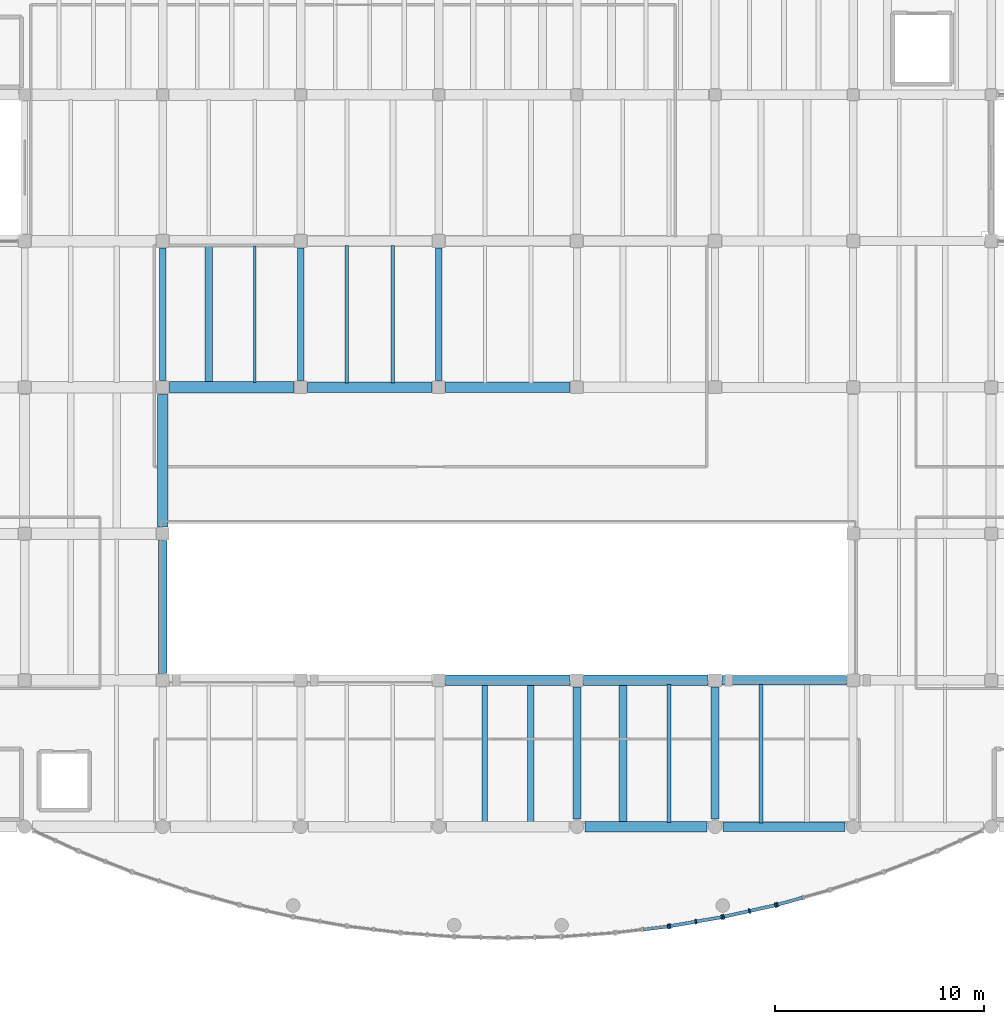
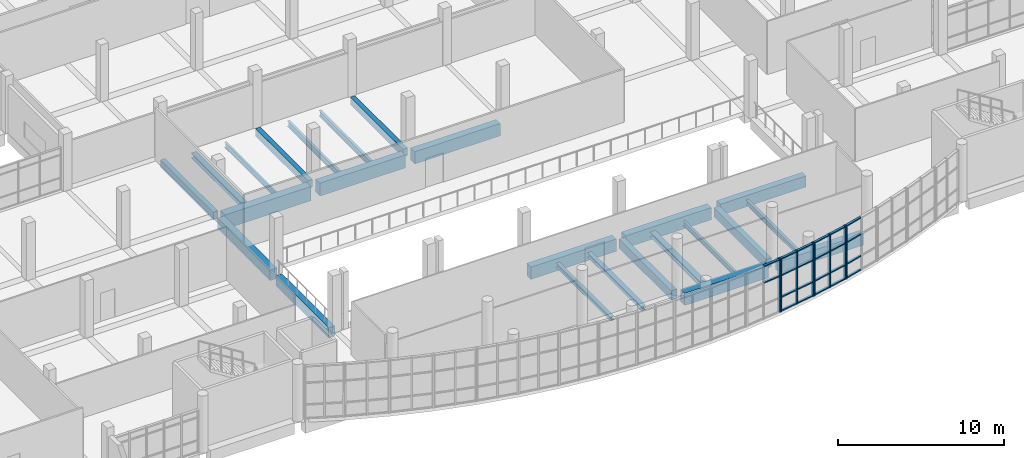
# One storey, part 12 of 67: 30 members, 24 beams, 4 elements without a shape of their own.
"""IFC4 building model written with IfcOpenShell, lengths in metres."""

from ifc_helpers import new_model, si_unit, direction, frame, origin, origin_2d, place, context, subcontext, project, spatial, rectangle, i_section, extrude, material, material_profile, profile_set, type_object, element, aggregate, save


model = new_model("IFC4")

# Units and contexts
model_context = context("Model", 3, precision=1e-05, world=origin(), true_north=direction((0.0, 1.0)))
body_context = subcontext(model_context, "Body", "Model", "MODEL_VIEW")
ifc_project = project(units=[si_unit("LENGTHUNIT", "METRE"), si_unit("AREAUNIT", "SQUARE_METRE"), si_unit("VOLUMEUNIT", "CUBIC_METRE"), si_unit("PLANEANGLEUNIT", "RADIAN"), si_unit("MASSUNIT", "GRAM", prefix="KILO")], contexts=[model_context])

# Site, building, storey
site_placement = place(None, origin())
site = spatial("IfcSite", under=ifc_project, at=site_placement, CompositionType="ELEMENT")
building_placement = place(site_placement, origin())
building = spatial("IfcBuilding", under=site, at=building_placement, Name="Ciguamira Faculty of Natural Sciences", CompositionType="ELEMENT")
storey_placement = place(building_placement, frame((0.0, 0.0, 8.39990234375)))
storey = spatial("IfcBuildingStorey", under=building, at=storey_placement, Name="L02", CompositionType="ELEMENT", Elevation=8.39990234375)

# Curtain wall, member
ifc_material_1 = material(Name="Anodized aluminium curtain wall", Category="aluminium")
curtain_wall_type_1 = type_object("IfcCurtainWallType", Name="CurtainWall_CW-05", PredefinedType="USERDEFINED", material=ifc_material_1)
curtain_wall_1_placement = place(storey_placement, origin())
curtain_wall_1 = element("IfcCurtainWall", 1, at=curtain_wall_1_placement, inside=storey, type_object=curtain_wall_type_1, Name="L02 south gallery curved curtain wall 12", ObjectType="UNITISED CURTAIN WALL", PredefinedType="USERDEFINED")
ifc_material_2 = material(Name="Anodized aluminium mullion", Category="aluminium")
ifc_material_profile_1 = material_profile(ifc_material_2, rectangle(XDim=0.080078125, YDim=0.219970703125, at=origin_2d()), Name="ALU-MUL-80X220")
ifc_profile_set_1 = profile_set([ifc_material_profile_1], Name="Anodized aluminium mullion")
member_type_1 = type_object("IfcMemberType", Name="CWMullion_CWM-03", PredefinedType="MULLION", material=ifc_profile_set_1)
member_1_placement = place(storey_placement, frame((94.660400390625, 5.23828125, 0.0), z_axis=(0.0, 0.0, 1.0), x_axis=(0.992585912631, 0.12154507825, 0.0)))
member_1 = element("IfcMember", 2, at=member_1_placement, type_object=member_type_1, Name="CW-05 mullion 3", PredefinedType="MULLION", context=body_context, shape_type="SweptSolid", body=[
    extrude(rectangle(XDim=0.080078125, YDim=0.219970703125, at=origin_2d()), origin(), (0.0, 0.0, 1.0), 3.900146484375),
])

# Curtain wall, members
curtain_wall_type_2 = type_object("IfcCurtainWallType", Name="CurtainWall_CW-06", PredefinedType="USERDEFINED", material=ifc_material_1)
curtain_wall_2_placement = place(storey_placement, origin())
curtain_wall_2 = element("IfcCurtainWall", 3, at=curtain_wall_2_placement, inside=storey, type_object=curtain_wall_type_2, Name="L02 south gallery curved curtain wall 13", ObjectType="UNITISED CURTAIN WALL", PredefinedType="USERDEFINED")
member_2_placement = place(storey_placement, frame((94.739501953125, 5.25, 0.0), z_axis=(0.0, 0.0, 1.0), x_axis=(0.985410865099, 0.170192323402, 0.0)))
member_2 = element("IfcMember", 4, at=member_2_placement, type_object=member_type_1, Name="CW-06 mullion 1", PredefinedType="MULLION", context=body_context, shape_type="SweptSolid", body=[
    extrude(rectangle(XDim=0.080078125, YDim=0.219970703125, at=origin_2d()), origin(), (0.0, 0.0, 1.0), 3.900146484375),
])
member_3_placement = place(storey_placement, frame((95.9833984375, 5.46484375, 0.0), z_axis=(0.0, 0.0, 1.0), x_axis=(0.985410865099, 0.170192323402, 0.0)))
member_3 = element("IfcMember", 5, at=member_3_placement, type_object=member_type_1, Name="CW-06 mullion 2", PredefinedType="MULLION", context=body_context, shape_type="SweptSolid", body=[
    extrude(rectangle(XDim=0.080078125, YDim=0.219970703125, at=origin_2d()), origin(), (0.0, 0.0, 1.0), 3.900146484375),
])
member_4_placement = place(storey_placement, frame((97.227294921875, 5.6796875, 0.0), z_axis=(0.0, 0.0, 1.0), x_axis=(0.985410865099, 0.170192323402, 0.0)))
member_4 = element("IfcMember", 6, at=member_4_placement, type_object=member_type_1, Name="CW-06 mullion 3", PredefinedType="MULLION", context=body_context, shape_type="SweptSolid", body=[
    extrude(rectangle(XDim=0.080078125, YDim=0.219970703125, at=origin_2d()), origin(), (0.0, 0.0, 1.0), 3.900146484375),
])

curtain_wall_type_3 = type_object("IfcCurtainWallType", Name="CurtainWall_CW-07", PredefinedType="USERDEFINED", material=ifc_material_1)
curtain_wall_3_placement = place(storey_placement, origin())
curtain_wall_3 = element("IfcCurtainWall", 7, at=curtain_wall_3_placement, inside=storey, type_object=curtain_wall_type_3, Name="L02 south gallery curved curtain wall 14", ObjectType="UNITISED CURTAIN WALL", PredefinedType="USERDEFINED")
member_5_placement = place(storey_placement, frame((97.3056640625, 5.6953125, 0.0), z_axis=(0.0, 0.0, 1.0), x_axis=(0.975762990759, 0.218830038763, 0.0)))
member_5 = element("IfcMember", 8, at=member_5_placement, type_object=member_type_1, Name="CW-07 mullion 1", PredefinedType="MULLION", context=body_context, shape_type="SweptSolid", body=[
    extrude(rectangle(XDim=0.080078125, YDim=0.219970703125, at=origin_2d()), origin(), (0.0, 0.0, 1.0), 3.900146484375),
])
member_6_placement = place(storey_placement, frame((98.550048828125, 5.974365234375, 0.0), z_axis=(0.0, 0.0, 1.0), x_axis=(0.975762990759, 0.218830038763, 0.0)))
member_6 = element("IfcMember", 9, at=member_6_placement, type_object=member_type_1, Name="CW-07 mullion 2", PredefinedType="MULLION", context=body_context, shape_type="SweptSolid", body=[
    extrude(rectangle(XDim=0.080078125, YDim=0.219970703125, at=origin_2d()), origin(), (0.0, 0.0, 1.0), 3.900146484375),
])
member_7_placement = place(storey_placement, frame((99.794189453125, 6.25341796875, 0.0), z_axis=(0.0, 0.0, 1.0), x_axis=(0.975762990759, 0.218830038763, 0.0)))
member_7 = element("IfcMember", 10, at=member_7_placement, type_object=member_type_1, Name="CW-07 mullion 3", PredefinedType="MULLION", context=body_context, shape_type="SweptSolid", body=[
    extrude(rectangle(XDim=0.080078125, YDim=0.219970703125, at=origin_2d()), origin(), (0.0, 0.0, 1.0), 3.900146484375),
])

# Curtain wall, member
curtain_wall_type_4 = type_object("IfcCurtainWallType", Name="CurtainWall_CW-08", PredefinedType="USERDEFINED", material=ifc_material_1)
curtain_wall_4_placement = place(storey_placement, origin())
curtain_wall_4 = element("IfcCurtainWall", 11, at=curtain_wall_4_placement, inside=storey, type_object=curtain_wall_type_4, Name="L02 south gallery curved curtain wall 15", ObjectType="UNITISED CURTAIN WALL", PredefinedType="USERDEFINED")
member_8_placement = place(storey_placement, frame((99.871826171875, 6.272705078125, 0.0), z_axis=(0.0, 0.0, 1.0), x_axis=(0.963573286652, 0.267444426472, 0.0)))
member_8 = element("IfcMember", 12, at=member_8_placement, type_object=member_type_1, Name="CW-08 mullion 1", PredefinedType="MULLION", context=body_context, shape_type="SweptSolid", body=[
    extrude(rectangle(XDim=0.080078125, YDim=0.219970703125, at=origin_2d()), origin(), (0.0, 0.0, 1.0), 3.900146484375),
])

# Member
ifc_material_3 = material(Name="Anodized aluminium transom", Category="aluminium")
ifc_material_profile_2 = material_profile(ifc_material_3, rectangle(XDim=0.080078125, YDim=0.159912109375, at=origin_2d()), Name="ALU-TRN-80X160")
ifc_profile_set_2 = profile_set([ifc_material_profile_2], Name="Anodized aluminium transom")
member_type_2 = type_object("IfcMemberType", Name="CWTransom_CWT-03", PredefinedType="USERDEFINED", material=ifc_profile_set_2)
member_9_placement = place(storey_placement, frame((93.456298828125, 5.0908203125, 2.650146484375), z_axis=(0.992585363796, 0.121549560171, 0.0), x_axis=(0.0, 0.0, 1.0)))
member_9 = element("IfcMember", 13, at=member_9_placement, type_object=member_type_2, Name="CW-05 transom 2.3", ObjectType="TRANSOM", PredefinedType="USERDEFINED", context=body_context, shape_type="SweptSolid", body=[
    extrude(rectangle(XDim=0.080078125, YDim=0.159912109375, at=origin_2d()), origin(), (0.0, 0.0, 1.0), 1.173095703125),
])

member_10_placement = place(storey_placement, frame((93.456298828125, 5.0908203125, 3.860107421875), z_axis=(0.992585363796, 0.121549560171, 0.0), x_axis=(0.0, 0.0, 1.0)))
member_10 = element("IfcMember", 14, at=member_10_placement, type_object=member_type_2, Name="CW-05 transom 2.4", ObjectType="TRANSOM", PredefinedType="USERDEFINED", context=body_context, shape_type="SweptSolid", body=[
    extrude(rectangle(XDim=0.080078125, YDim=0.159912109375, at=origin_2d()), origin(), (0.0, 0.0, 1.0), 1.173095703125),
])

aggregate(curtain_wall_1, [member_1, member_9, member_10])

member_11_placement = place(storey_placement, frame((94.77880859375, 5.2568359375, 0.0400390625), z_axis=(0.985417162859, 0.170155855448, 0.0), x_axis=(0.0, 0.0, 1.0)))
member_11 = element("IfcMember", 15, at=member_11_placement, type_object=member_type_2, Name="CW-06 transom 1.1", ObjectType="TRANSOM", PredefinedType="USERDEFINED", context=body_context, shape_type="SweptSolid", body=[
    extrude(rectangle(XDim=0.080078125, YDim=0.159912109375, at=origin_2d()), origin(), (0.0, 0.0, 1.0), 1.182373046875),
])

member_12_placement = place(storey_placement, frame((94.77880859375, 5.2568359375, 1.050048828125), z_axis=(0.985417162859, 0.170155855448, 0.0), x_axis=(0.0, 0.0, 1.0)))
member_12 = element("IfcMember", 16, at=member_12_placement, type_object=member_type_2, Name="CW-06 transom 1.2", ObjectType="TRANSOM", PredefinedType="USERDEFINED", context=body_context, shape_type="SweptSolid", body=[
    extrude(rectangle(XDim=0.080078125, YDim=0.159912109375, at=origin_2d()), origin(), (0.0, 0.0, 1.0), 1.182373046875),
])

member_13_placement = place(storey_placement, frame((94.77880859375, 5.2568359375, 2.650146484375), z_axis=(0.985417162859, 0.170155855448, 0.0), x_axis=(0.0, 0.0, 1.0)))
member_13 = element("IfcMember", 17, at=member_13_placement, type_object=member_type_2, Name="CW-06 transom 1.3", ObjectType="TRANSOM", PredefinedType="USERDEFINED", context=body_context, shape_type="SweptSolid", body=[
    extrude(rectangle(XDim=0.080078125, YDim=0.159912109375, at=origin_2d()), origin(), (0.0, 0.0, 1.0), 1.182373046875),
])

member_14_placement = place(storey_placement, frame((94.77880859375, 5.2568359375, 3.860107421875), z_axis=(0.985417162859, 0.170155855448, 0.0), x_axis=(0.0, 0.0, 1.0)))
member_14 = element("IfcMember", 18, at=member_14_placement, type_object=member_type_2, Name="CW-06 transom 1.4", ObjectType="TRANSOM", PredefinedType="USERDEFINED", context=body_context, shape_type="SweptSolid", body=[
    extrude(rectangle(XDim=0.080078125, YDim=0.159912109375, at=origin_2d()), origin(), (0.0, 0.0, 1.0), 1.182373046875),
])

member_15_placement = place(storey_placement, frame((96.022705078125, 5.4716796875, 0.0400390625), z_axis=(0.985423139827, 0.170121237632, 0.0), x_axis=(0.0, 0.0, 1.0)))
member_15 = element("IfcMember", 19, at=member_15_placement, type_object=member_type_2, Name="CW-06 transom 2.1", ObjectType="TRANSOM", PredefinedType="USERDEFINED", context=body_context, shape_type="SweptSolid", body=[
    extrude(rectangle(XDim=0.080078125, YDim=0.159912109375, at=origin_2d()), origin(), (0.0, 0.0, 1.0), 1.1826171875),
])

member_16_placement = place(storey_placement, frame((96.022705078125, 5.4716796875, 1.050048828125), z_axis=(0.985423139827, 0.170121237632, 0.0), x_axis=(0.0, 0.0, 1.0)))
member_16 = element("IfcMember", 20, at=member_16_placement, type_object=member_type_2, Name="CW-06 transom 2.2", ObjectType="TRANSOM", PredefinedType="USERDEFINED", context=body_context, shape_type="SweptSolid", body=[
    extrude(rectangle(XDim=0.080078125, YDim=0.159912109375, at=origin_2d()), origin(), (0.0, 0.0, 1.0), 1.1826171875),
])

member_17_placement = place(storey_placement, frame((96.022705078125, 5.4716796875, 2.650146484375), z_axis=(0.985423139827, 0.170121237632, 0.0), x_axis=(0.0, 0.0, 1.0)))
member_17 = element("IfcMember", 21, at=member_17_placement, type_object=member_type_2, Name="CW-06 transom 2.3", ObjectType="TRANSOM", PredefinedType="USERDEFINED", context=body_context, shape_type="SweptSolid", body=[
    extrude(rectangle(XDim=0.080078125, YDim=0.159912109375, at=origin_2d()), origin(), (0.0, 0.0, 1.0), 1.1826171875),
])

member_18_placement = place(storey_placement, frame((96.022705078125, 5.4716796875, 3.860107421875), z_axis=(0.985423139827, 0.170121237632, 0.0), x_axis=(0.0, 0.0, 1.0)))
member_18 = element("IfcMember", 22, at=member_18_placement, type_object=member_type_2, Name="CW-06 transom 2.4", ObjectType="TRANSOM", PredefinedType="USERDEFINED", context=body_context, shape_type="SweptSolid", body=[
    extrude(rectangle(XDim=0.080078125, YDim=0.159912109375, at=origin_2d()), origin(), (0.0, 0.0, 1.0), 1.1826171875),
])

aggregate(curtain_wall_2, [member_2, member_3, member_4, member_11, member_12, member_13, member_14, member_15, member_16, member_17, member_18])

member_19_placement = place(storey_placement, frame((97.3447265625, 5.7041015625, 0.0400390625), z_axis=(0.97577679791, 0.218768463588, 0.0), x_axis=(0.0, 0.0, 1.0)))
member_19 = element("IfcMember", 23, at=member_19_placement, type_object=member_type_2, Name="CW-07 transom 1.1", ObjectType="TRANSOM", PredefinedType="USERDEFINED", context=body_context, shape_type="SweptSolid", body=[
    extrude(rectangle(XDim=0.080078125, YDim=0.159912109375, at=origin_2d()), origin(), (0.0, 0.0, 1.0), 1.1953125),
])

member_20_placement = place(storey_placement, frame((97.3447265625, 5.7041015625, 1.050048828125), z_axis=(0.97577679791, 0.218768463588, 0.0), x_axis=(0.0, 0.0, 1.0)))
member_20 = element("IfcMember", 24, at=member_20_placement, type_object=member_type_2, Name="CW-07 transom 1.2", ObjectType="TRANSOM", PredefinedType="USERDEFINED", context=body_context, shape_type="SweptSolid", body=[
    extrude(rectangle(XDim=0.080078125, YDim=0.159912109375, at=origin_2d()), origin(), (0.0, 0.0, 1.0), 1.1953125),
])

member_21_placement = place(storey_placement, frame((97.3447265625, 5.7041015625, 2.650146484375), z_axis=(0.97577679791, 0.218768463588, 0.0), x_axis=(0.0, 0.0, 1.0)))
member_21 = element("IfcMember", 25, at=member_21_placement, type_object=member_type_2, Name="CW-07 transom 1.3", ObjectType="TRANSOM", PredefinedType="USERDEFINED", context=body_context, shape_type="SweptSolid", body=[
    extrude(rectangle(XDim=0.080078125, YDim=0.159912109375, at=origin_2d()), origin(), (0.0, 0.0, 1.0), 1.1953125),
])

member_22_placement = place(storey_placement, frame((97.3447265625, 5.7041015625, 3.860107421875), z_axis=(0.97577679791, 0.218768463588, 0.0), x_axis=(0.0, 0.0, 1.0)))
member_22 = element("IfcMember", 26, at=member_22_placement, type_object=member_type_2, Name="CW-07 transom 1.4", ObjectType="TRANSOM", PredefinedType="USERDEFINED", context=body_context, shape_type="SweptSolid", body=[
    extrude(rectangle(XDim=0.080078125, YDim=0.159912109375, at=origin_2d()), origin(), (0.0, 0.0, 1.0), 1.1953125),
])

member_23_placement = place(storey_placement, frame((98.589111328125, 5.983154296875, 0.0400390625), z_axis=(0.975767018908, 0.218812076476, 0.0), x_axis=(0.0, 0.0, 1.0)))
member_23 = element("IfcMember", 27, at=member_23_placement, type_object=member_type_2, Name="CW-07 transom 2.1", ObjectType="TRANSOM", PredefinedType="USERDEFINED", context=body_context, shape_type="SweptSolid", body=[
    extrude(rectangle(XDim=0.080078125, YDim=0.159912109375, at=origin_2d()), origin(), (0.0, 0.0, 1.0), 1.195068359375),
])

member_24_placement = place(storey_placement, frame((98.589111328125, 5.983154296875, 1.050048828125), z_axis=(0.975767018908, 0.218812076476, 0.0), x_axis=(0.0, 0.0, 1.0)))
member_24 = element("IfcMember", 28, at=member_24_placement, type_object=member_type_2, Name="CW-07 transom 2.2", ObjectType="TRANSOM", PredefinedType="USERDEFINED", context=body_context, shape_type="SweptSolid", body=[
    extrude(rectangle(XDim=0.080078125, YDim=0.159912109375, at=origin_2d()), origin(), (0.0, 0.0, 1.0), 1.195068359375),
])

member_25_placement = place(storey_placement, frame((98.589111328125, 5.983154296875, 2.650146484375), z_axis=(0.975767018908, 0.218812076476, 0.0), x_axis=(0.0, 0.0, 1.0)))
member_25 = element("IfcMember", 29, at=member_25_placement, type_object=member_type_2, Name="CW-07 transom 2.3", ObjectType="TRANSOM", PredefinedType="USERDEFINED", context=body_context, shape_type="SweptSolid", body=[
    extrude(rectangle(XDim=0.080078125, YDim=0.159912109375, at=origin_2d()), origin(), (0.0, 0.0, 1.0), 1.195068359375),
])

member_26_placement = place(storey_placement, frame((98.589111328125, 5.983154296875, 3.860107421875), z_axis=(0.975767018908, 0.218812076476, 0.0), x_axis=(0.0, 0.0, 1.0)))
member_26 = element("IfcMember", 30, at=member_26_placement, type_object=member_type_2, Name="CW-07 transom 2.4", ObjectType="TRANSOM", PredefinedType="USERDEFINED", context=body_context, shape_type="SweptSolid", body=[
    extrude(rectangle(XDim=0.080078125, YDim=0.159912109375, at=origin_2d()), origin(), (0.0, 0.0, 1.0), 1.195068359375),
])

aggregate(curtain_wall_3, [member_5, member_6, member_7, member_19, member_20, member_21, member_22, member_23, member_24, member_25, member_26])

member_27_placement = place(storey_placement, frame((99.910400390625, 6.283447265625, 0.0400390625), z_axis=(0.963549650457, 0.267529570522, 0.0), x_axis=(0.0, 0.0, 1.0)))
member_27 = element("IfcMember", 31, at=member_27_placement, type_object=member_type_2, Name="CW-08 transom 1.1", ObjectType="TRANSOM", PredefinedType="USERDEFINED", context=body_context, shape_type="SweptSolid", body=[
    extrude(rectangle(XDim=0.080078125, YDim=0.159912109375, at=origin_2d()), origin(), (0.0, 0.0, 1.0), 1.2119140625),
])

member_28_placement = place(storey_placement, frame((99.910400390625, 6.283447265625, 1.050048828125), z_axis=(0.963549650457, 0.267529570522, 0.0), x_axis=(0.0, 0.0, 1.0)))
member_28 = element("IfcMember", 32, at=member_28_placement, type_object=member_type_2, Name="CW-08 transom 1.2", ObjectType="TRANSOM", PredefinedType="USERDEFINED", context=body_context, shape_type="SweptSolid", body=[
    extrude(rectangle(XDim=0.080078125, YDim=0.159912109375, at=origin_2d()), origin(), (0.0, 0.0, 1.0), 1.2119140625),
])

member_29_placement = place(storey_placement, frame((99.910400390625, 6.283447265625, 2.650146484375), z_axis=(0.963549650457, 0.267529570522, 0.0), x_axis=(0.0, 0.0, 1.0)))
member_29 = element("IfcMember", 33, at=member_29_placement, type_object=member_type_2, Name="CW-08 transom 1.3", ObjectType="TRANSOM", PredefinedType="USERDEFINED", context=body_context, shape_type="SweptSolid", body=[
    extrude(rectangle(XDim=0.080078125, YDim=0.159912109375, at=origin_2d()), origin(), (0.0, 0.0, 1.0), 1.2119140625),
])

member_30_placement = place(storey_placement, frame((99.910400390625, 6.283447265625, 3.860107421875), z_axis=(0.963549650457, 0.267529570522, 0.0), x_axis=(0.0, 0.0, 1.0)))
member_30 = element("IfcMember", 34, at=member_30_placement, type_object=member_type_2, Name="CW-08 transom 1.4", ObjectType="TRANSOM", PredefinedType="USERDEFINED", context=body_context, shape_type="SweptSolid", body=[
    extrude(rectangle(XDim=0.080078125, YDim=0.159912109375, at=origin_2d()), origin(), (0.0, 0.0, 1.0), 1.2119140625),
])

aggregate(curtain_wall_4, [member_8, member_27, member_28, member_29, member_30])

# Beams
ifc_material_4 = material(Name="Concrete C40/50", Category="concrete")
ifc_material_profile_3 = material_profile(ifc_material_4, rectangle(XDim=0.550048828125, YDim=1.050048828125, at=origin_2d()), Name="RC-BM-550X1050")
ifc_profile_set_3 = profile_set([ifc_material_profile_3], Name="Concrete C40/50")
beam_type_1 = type_object("IfcBeamType", Name="RCBeam_BG-01_RC-BM-550X1050", PredefinedType="BEAM", material=ifc_profile_set_3)
beam_1_placement = place(storey_placement, frame((70.824951171875, 31.0, -0.52490234375), z_axis=(1.0, 0.0, 0.0), x_axis=(0.0, 1.0, 0.0)))
element("IfcBeam", 35, at=beam_1_placement, inside=storey, type_object=beam_type_1, Name="L02 RC girder EW-0764", PredefinedType="BEAM", context=body_context, shape_type="SweptSolid", body=[
    extrude(rectangle(XDim=0.550048828125, YDim=1.050048828125, at=origin_2d()), origin(), (0.0, 0.0, 1.0), 5.949951171875),
])
ifc_material_profile_4 = material_profile(ifc_material_4, rectangle(XDim=0.5, YDim=0.949951171875, at=origin_2d()), Name="RC-BM-500X950")
ifc_profile_set_4 = profile_set([ifc_material_profile_4], Name="Concrete C40/50")
beam_type_2 = type_object("IfcBeamType", Name="RCBeam_BG-02_RC-BM-500X950", PredefinedType="BEAM", material=ifc_profile_set_4)
beam_2_placement = place(storey_placement, frame((77.425048828125, 31.0, -0.474853515625), z_axis=(1.0, 0.0, 0.0), x_axis=(0.0, 1.0, 0.0)))
element("IfcBeam", 36, at=beam_2_placement, inside=storey, type_object=beam_type_2, Name="L02 RC girder EW-0765", PredefinedType="BEAM", context=body_context, shape_type="SweptSolid", body=[
    extrude(rectangle(XDim=0.5, YDim=0.949951171875, at=origin_2d()), origin(), (0.0, 0.0, 1.0), 5.949951171875),
])
ifc_material_profile_5 = material_profile(ifc_material_4, rectangle(XDim=0.5, YDim=0.89990234375, at=origin_2d()), Name="RC-BM-500X900")
ifc_profile_set_5 = profile_set([ifc_material_profile_5], Name="Concrete C40/50")
beam_type_3 = type_object("IfcBeamType", Name="RCBeam_BG-03_RC-BM-500X900", PredefinedType="BEAM", material=ifc_profile_set_5)
beam_3_placement = place(storey_placement, frame((90.675048828125, 10.0, -0.449951171875), z_axis=(1.0, 0.0, 0.0), x_axis=(0.0, 1.0, 0.0)))
element("IfcBeam", 37, at=beam_3_placement, inside=storey, type_object=beam_type_3, Name="L02 RC girder EW-0725", PredefinedType="BEAM", context=body_context, shape_type="SweptSolid", body=[
    extrude(rectangle(XDim=0.5, YDim=0.89990234375, at=origin_2d()), origin(), (0.0, 0.0, 1.0), 5.849853515625),
])
beam_4_placement = place(storey_placement, frame((84.02490234375, 17.0, -0.449951171875), z_axis=(1.0, 0.0, 0.0), x_axis=(0.0, 1.0, 0.0)))
element("IfcBeam", 38, at=beam_4_placement, inside=storey, type_object=beam_type_3, Name="L02 RC girder EW-0742", PredefinedType="BEAM", context=body_context, shape_type="SweptSolid", body=[
    extrude(rectangle(XDim=0.5, YDim=0.89990234375, at=origin_2d()), origin(), (0.0, 0.0, 1.0), 5.9501953125),
])
beam_5_placement = place(storey_placement, frame((90.625, 17.0, -0.449951171875), z_axis=(1.0, 0.0, 0.0), x_axis=(0.0, 1.0, 0.0)))
element("IfcBeam", 39, at=beam_5_placement, inside=storey, type_object=beam_type_3, Name="L02 RC girder EW-0743", PredefinedType="BEAM", context=body_context, shape_type="SweptSolid", body=[
    extrude(rectangle(XDim=0.5, YDim=0.89990234375, at=origin_2d()), origin(), (0.0, 0.0, 1.0), 5.949951171875),
])
beam_6_placement = place(storey_placement, frame((84.02490234375, 31.0, -0.449951171875), z_axis=(1.0, 0.0, 0.0), x_axis=(0.0, 1.0, 0.0)))
element("IfcBeam", 40, at=beam_6_placement, inside=storey, type_object=beam_type_3, Name="L02 RC girder EW-0766", PredefinedType="BEAM", context=body_context, shape_type="SweptSolid", body=[
    extrude(rectangle(XDim=0.5, YDim=0.89990234375, at=origin_2d()), origin(), (0.0, 0.0, 1.0), 5.9501953125),
])
ifc_material_profile_6 = material_profile(ifc_material_4, rectangle(XDim=0.4599609375, YDim=0.820068359375, at=origin_2d()), Name="RC-BM-460X820")
ifc_profile_set_6 = profile_set([ifc_material_profile_6], Name="Concrete C40/50")
beam_type_4 = type_object("IfcBeamType", Name="RCBeam_BG-04_RC-BM-460X820", PredefinedType="BEAM", material=ifc_profile_set_6)
beam_7_placement = place(storey_placement, frame((97.27490234375, 10.0, -0.409912109375), z_axis=(1.0, 0.0, 0.0), x_axis=(0.0, 1.0, 0.0)))
element("IfcBeam", 41, at=beam_7_placement, inside=storey, type_object=beam_type_4, Name="L02 RC girder EW-0726", PredefinedType="BEAM", context=body_context, shape_type="SweptSolid", body=[
    extrude(rectangle(XDim=0.4599609375, YDim=0.820068359375, at=origin_2d()), origin(), (0.0, 0.0, 1.0), 5.85009765625),
])
beam_8_placement = place(storey_placement, frame((97.22509765625, 17.0, -0.409912109375), z_axis=(1.0, 0.0, 0.0), x_axis=(0.0, 1.0, 0.0)))
element("IfcBeam", 42, at=beam_8_placement, inside=storey, type_object=beam_type_4, Name="L02 RC girder EW-0744", PredefinedType="BEAM", context=body_context, shape_type="SweptSolid", body=[
    extrude(rectangle(XDim=0.4599609375, YDim=0.820068359375, at=origin_2d()), origin(), (0.0, 0.0, 1.0), 5.949951171875),
])
ifc_material_profile_7 = material_profile(ifc_material_4, rectangle(XDim=0.419921875, YDim=0.739990234375, at=origin_2d()), Name="RC-BM-420X740")
ifc_profile_set_7 = profile_set([ifc_material_profile_7], Name="Concrete C40/50")
beam_type_5 = type_object("IfcBeamType", Name="RCBeam_BG-07_RC-BM-420X740", PredefinedType="BEAM", material=ifc_profile_set_7)
beam_9_placement = place(storey_placement, frame((70.5, 17.324951171875, -0.369873046875), z_axis=(0.0, 1.0, 0.0), x_axis=(-1.0, 0.0, 0.0)))
element("IfcBeam", 43, at=beam_9_placement, inside=storey, type_object=beam_type_5, Name="L02 girder NS-0922", PredefinedType="BEAM", context=body_context, shape_type="SweptSolid", body=[
    extrude(rectangle(XDim=0.419921875, YDim=0.739990234375, at=origin_2d()), origin(), (0.0, 0.0, 1.0), 6.35009765625),
])
ifc_material_profile_8 = material_profile(ifc_material_4, rectangle(XDim=0.3798828125, YDim=0.679931640625, at=origin_2d()), Name="RC-BM-380X680")
ifc_profile_set_8 = profile_set([ifc_material_profile_8], Name="Concrete C40/50")
beam_type_6 = type_object("IfcBeamType", Name="RCBeam_BG-09_RC-BM-380X680", PredefinedType="BEAM", material=ifc_profile_set_8)
for number, where, z_axis, x_axis, name in (
    (44, (90.300048828125, 10.375, -0.33984375), (0.0, 1.0, 0.0), (-1.0, 0.0, 0.0), "L02 girder NS-0954"),
    (45, (96.89990234375, 10.375, -0.33984375), (0.0, 1.0, 0.0), (-1.0, 0.0, 0.0), "L02 girder NS-0965"),
):
    element("IfcBeam", number, at=place(storey_placement, frame(where, z_axis=z_axis, x_axis=x_axis)), inside=storey, type_object=beam_type_6, Name=name, PredefinedType="BEAM", context=body_context, shape_type="SweptSolid", body=[
        extrude(rectangle(XDim=0.3798828125, YDim=0.679931640625, at=origin_2d()), origin(), (0.0, 0.0, 1.0), 6.300048828125),
    ])
ifc_material_profile_9 = material_profile(ifc_material_4, rectangle(XDim=0.320068359375, YDim=0.56005859375, at=origin_2d()), Name="RC-BM-320X560")
ifc_profile_set_9 = profile_set([ifc_material_profile_9], Name="Concrete C40/50")
beam_type_7 = type_object("IfcBeamType", Name="RCBeam_BG-12_RC-BM-320X560", PredefinedType="BEAM", material=ifc_profile_set_9)
for number, where, z_axis, x_axis, name in (
    (46, (70.5, 31.324951171875, -0.27978515625), (0.0, 1.0, 0.0), (-1.0, 0.0, 0.0), "L02 girder NS-0924"),
    (47, (77.10009765625, 31.324951171875, -0.27978515625), (0.0, 1.0, 0.0), (-1.0, 0.0, 0.0), "L02 girder NS-0934"),
    (48, (83.699951171875, 31.324951171875, -0.27978515625), (0.0, 1.0, 0.0), (-1.0, 0.0, 0.0), "L02 girder NS-0944"),
):
    element("IfcBeam", number, at=place(storey_placement, frame(where, z_axis=z_axis, x_axis=x_axis)), inside=storey, type_object=beam_type_7, Name=name, PredefinedType="BEAM", context=body_context, shape_type="SweptSolid", body=[
        extrude(rectangle(XDim=0.320068359375, YDim=0.56005859375, at=origin_2d()), origin(), (0.0, 0.0, 1.0), 6.35009765625),
    ])
ifc_material_profile_10 = material_profile(ifc_material_4, rectangle(XDim=0.47998046875, YDim=0.760009765625, at=origin_2d()), Name="RC-TB-480X760")
ifc_profile_set_10 = profile_set([ifc_material_profile_10], Name="Concrete C40/50")
beam_type_8 = type_object("IfcBeamType", Name="RCBeam_TB-01_RC-TB-480X760", PredefinedType="T_BEAM", material=ifc_profile_set_10)
beam_10_placement = place(storey_placement, frame((70.5, 24.324951171875, -0.3798828125), z_axis=(0.0, 1.0, 0.0), x_axis=(-1.0, 0.0, 0.0)))
element("IfcBeam", 49, at=beam_10_placement, inside=storey, type_object=beam_type_8, Name="L02 girder NS-0923", PredefinedType="T_BEAM", context=body_context, shape_type="SweptSolid", body=[
    extrude(rectangle(XDim=0.47998046875, YDim=0.760009765625, at=origin_2d()), origin(), (0.0, 0.0, 1.0), 6.35009765625),
])
ifc_material_5 = material(Name="Steel ASTM A992 Grade 50", Category="steel")
ifc_material_profile_11 = material_profile(ifc_material_5, i_section(OverallWidth=0.25390625, OverallDepth=0.307373046875, WebThickness=0.0087890625, FlangeThickness=0.0146484375, at=origin_2d()), Name="W12X53")
ifc_profile_set_11 = profile_set([ifc_material_profile_11], Name="Steel ASTM A992 Grade 50")
beam_type_9 = type_object("IfcBeamType", Name="SteelJoist_SJ-07_W12X53", PredefinedType="JOIST", material=ifc_profile_set_11)
beam_11_placement = place(storey_placement, frame((85.89990234375, 10.2099609375, -0.45361328125), z_axis=(0.0, 1.0, 0.0), x_axis=(-1.0, 0.0, 0.0)))
element("IfcBeam", 50, at=beam_11_placement, inside=storey, type_object=beam_type_9, Name="L02 composite steel joist 00816", PredefinedType="JOIST", context=body_context, shape_type="SweptSolid", body=[
    extrude(i_section(OverallWidth=0.25390625, OverallDepth=0.307373046875, WebThickness=0.0087890625, FlangeThickness=0.0146484375, at=origin_2d()), origin(), (0.0, 0.0, 1.0), 6.580078125),
])
ifc_material_profile_12 = material_profile(ifc_material_5, i_section(OverallWidth=0.3046875, OverallDepth=0.307373046875, WebThickness=0.010009765625, FlangeThickness=0.015380859375, at=origin_2d()), Name="W12X65")
ifc_profile_set_12 = profile_set([ifc_material_profile_12], Name="Steel ASTM A992 Grade 50")
beam_type_10 = type_object("IfcBeamType", Name="SteelJoist_SJ-08_W12X65", PredefinedType="JOIST", material=ifc_profile_set_12)
beam_12_placement = place(storey_placement, frame((88.10009765625, 10.2099609375, -0.45361328125), z_axis=(0.0, 1.0, 0.0), x_axis=(-1.0, 0.0, 0.0)))
element("IfcBeam", 51, at=beam_12_placement, inside=storey, type_object=beam_type_10, Name="L02 composite steel joist 00817", PredefinedType="JOIST", context=body_context, shape_type="SweptSolid", body=[
    extrude(i_section(OverallWidth=0.3046875, OverallDepth=0.307373046875, WebThickness=0.010009765625, FlangeThickness=0.015380859375, at=origin_2d()), origin(), (0.0, 0.0, 1.0), 6.580078125),
])
ifc_material_profile_13 = material_profile(ifc_material_5, i_section(OverallWidth=0.373291015625, OverallDepth=0.373291015625, WebThickness=0.016357421875, FlangeThickness=0.026123046875, at=origin_2d()), Name="W14X132")
ifc_profile_set_13 = profile_set([ifc_material_profile_13], Name="Steel ASTM A992 Grade 50")
beam_type_11 = type_object("IfcBeamType", Name="SteelJoist_SJ-10_W14X132", PredefinedType="JOIST", material=ifc_profile_set_13)
beam_13_placement = place(storey_placement, frame((92.5, 10.2099609375, -0.486572265625), z_axis=(0.0, 1.0, 0.0), x_axis=(-1.0, 0.0, 0.0)))
element("IfcBeam", 52, at=beam_13_placement, inside=storey, type_object=beam_type_11, Name="L02 composite steel joist 00841", PredefinedType="JOIST", context=body_context, shape_type="SweptSolid", body=[
    extrude(i_section(OverallWidth=0.373291015625, OverallDepth=0.373291015625, WebThickness=0.016357421875, FlangeThickness=0.026123046875, at=origin_2d()), origin(), (0.0, 0.0, 1.0), 6.580078125),
])
ifc_material_profile_14 = material_profile(ifc_material_5, i_section(OverallWidth=0.1708984375, OverallDepth=0.3505859375, WebThickness=0.0068359375, FlangeThickness=0.009765625, at=origin_2d()), Name="W14X30")
ifc_profile_set_14 = profile_set([ifc_material_profile_14], Name="Steel ASTM A992 Grade 50")
beam_type_12 = type_object("IfcBeamType", Name="SteelJoist_SJ-11_W14X30", PredefinedType="JOIST", material=ifc_profile_set_14)
beam_14_placement = place(storey_placement, frame((94.699951171875, 10.2099609375, -0.47509765625), z_axis=(0.0, 1.0, 0.0), x_axis=(-1.0, 0.0, 0.0)))
element("IfcBeam", 53, at=beam_14_placement, inside=storey, type_object=beam_type_12, Name="L02 composite steel joist 00842", PredefinedType="JOIST", context=body_context, shape_type="SweptSolid", body=[
    extrude(i_section(OverallWidth=0.1708984375, OverallDepth=0.3505859375, WebThickness=0.0068359375, FlangeThickness=0.009765625, at=origin_2d()), origin(), (0.0, 0.0, 1.0), 6.580078125),
])
ifc_material_profile_15 = material_profile(ifc_material_5, i_section(OverallWidth=0.204833984375, OverallDepth=0.35302734375, WebThickness=0.00927734375, FlangeThickness=0.016845703125, at=origin_2d()), Name="W14X53")
ifc_profile_set_15 = profile_set([ifc_material_profile_15], Name="Steel ASTM A992 Grade 50")
beam_type_13 = type_object("IfcBeamType", Name="SteelJoist_SJ-13_W14X53", PredefinedType="JOIST", material=ifc_profile_set_15)
beam_15_placement = place(storey_placement, frame((99.10009765625, 10.18994140625, -0.476318359375), z_axis=(0.0, 1.0, 0.0), x_axis=(-1.0, 0.0, 0.0)))
element("IfcBeam", 54, at=beam_15_placement, inside=storey, type_object=beam_type_13, Name="L02 composite steel joist 00867", PredefinedType="JOIST", context=body_context, shape_type="SweptSolid", body=[
    extrude(i_section(OverallWidth=0.204833984375, OverallDepth=0.35302734375, WebThickness=0.00927734375, FlangeThickness=0.016845703125, at=origin_2d()), origin(), (0.0, 0.0, 1.0), 6.6201171875),
])
ifc_material_profile_16 = material_profile(ifc_material_5, i_section(OverallWidth=0.368408203125, OverallDepth=0.355712890625, WebThickness=0.01123046875, FlangeThickness=0.01806640625, at=origin_2d()), Name="W14X90")
ifc_profile_set_16 = profile_set([ifc_material_profile_16], Name="Steel ASTM A992 Grade 50")
beam_type_14 = type_object("IfcBeamType", Name="SteelJoist_SJ-16_W14X90", PredefinedType="JOIST", material=ifc_profile_set_16)
beam_16_placement = place(storey_placement, frame((72.699951171875, 31.235107421875, -0.477783203125), z_axis=(0.0, 1.0, 0.0), x_axis=(-1.0, 0.0, 0.0)))
element("IfcBeam", 55, at=beam_16_placement, inside=storey, type_object=beam_type_14, Name="L02 composite steel joist 00767", PredefinedType="JOIST", context=body_context, shape_type="SweptSolid", body=[
    extrude(i_section(OverallWidth=0.368408203125, OverallDepth=0.355712890625, WebThickness=0.01123046875, FlangeThickness=0.01806640625, at=origin_2d()), origin(), (0.0, 0.0, 1.0), 6.52978515625),
])
ifc_material_profile_17 = material_profile(ifc_material_5, i_section(OverallWidth=0.140380859375, OverallDepth=0.40380859375, WebThickness=0.007080078125, FlangeThickness=0.01123046875, at=origin_2d()), Name="W16X31")
ifc_profile_set_17 = profile_set([ifc_material_profile_17], Name="Steel ASTM A992 Grade 50")
beam_type_15 = type_object("IfcBeamType", Name="SteelJoist_SJ-17_W16X31", PredefinedType="JOIST", material=ifc_profile_set_17)
beam_17_placement = place(storey_placement, frame((74.89990234375, 31.235107421875, -0.501708984375), z_axis=(0.0, 1.0, 0.0), x_axis=(-1.0, 0.0, 0.0)))
element("IfcBeam", 56, at=beam_17_placement, inside=storey, type_object=beam_type_15, Name="L02 composite steel joist 00768", PredefinedType="JOIST", context=body_context, shape_type="SweptSolid", body=[
    extrude(i_section(OverallWidth=0.140380859375, OverallDepth=0.40380859375, WebThickness=0.007080078125, FlangeThickness=0.01123046875, at=origin_2d()), origin(), (0.0, 0.0, 1.0), 6.52978515625),
])
ifc_material_profile_18 = material_profile(ifc_material_5, i_section(OverallWidth=0.1787109375, OverallDepth=0.408935546875, WebThickness=0.0087890625, FlangeThickness=0.014404296875, at=origin_2d()), Name="W16X45")
ifc_profile_set_18 = profile_set([ifc_material_profile_18], Name="Steel ASTM A992 Grade 50")
beam_type_16 = type_object("IfcBeamType", Name="SteelJoist_SJ-19_W16X45", PredefinedType="JOIST", material=ifc_profile_set_18)
beam_18_placement = place(storey_placement, frame((79.300048828125, 31.2099609375, -0.50439453125), z_axis=(0.0, 1.0, 0.0), x_axis=(-1.0, 0.0, 0.0)))
element("IfcBeam", 57, at=beam_18_placement, inside=storey, type_object=beam_type_16, Name="L02 composite steel joist 00792", PredefinedType="JOIST", context=body_context, shape_type="SweptSolid", body=[
    extrude(i_section(OverallWidth=0.1787109375, OverallDepth=0.408935546875, WebThickness=0.0087890625, FlangeThickness=0.014404296875, at=origin_2d()), origin(), (0.0, 0.0, 1.0), 6.580078125),
])
ifc_material_profile_19 = material_profile(ifc_material_5, i_section(OverallWidth=0.180908203125, OverallDepth=0.41650390625, WebThickness=0.010986328125, FlangeThickness=0.01806640625, at=origin_2d()), Name="W16X57")
ifc_profile_set_19 = profile_set([ifc_material_profile_19], Name="Steel ASTM A992 Grade 50")
beam_type_17 = type_object("IfcBeamType", Name="SteelJoist_SJ-20_W16X57", PredefinedType="JOIST", material=ifc_profile_set_19)
beam_19_placement = place(storey_placement, frame((81.5, 31.2099609375, -0.50830078125), z_axis=(0.0, 1.0, 0.0), x_axis=(-1.0, 0.0, 0.0)))
element("IfcBeam", 58, at=beam_19_placement, inside=storey, type_object=beam_type_17, Name="L02 composite steel joist 00793", PredefinedType="JOIST", context=body_context, shape_type="SweptSolid", body=[
    extrude(i_section(OverallWidth=0.180908203125, OverallDepth=0.41650390625, WebThickness=0.010986328125, FlangeThickness=0.01806640625, at=origin_2d()), origin(), (0.0, 0.0, 1.0), 6.580078125),
])

save(model, "model.ifc")
